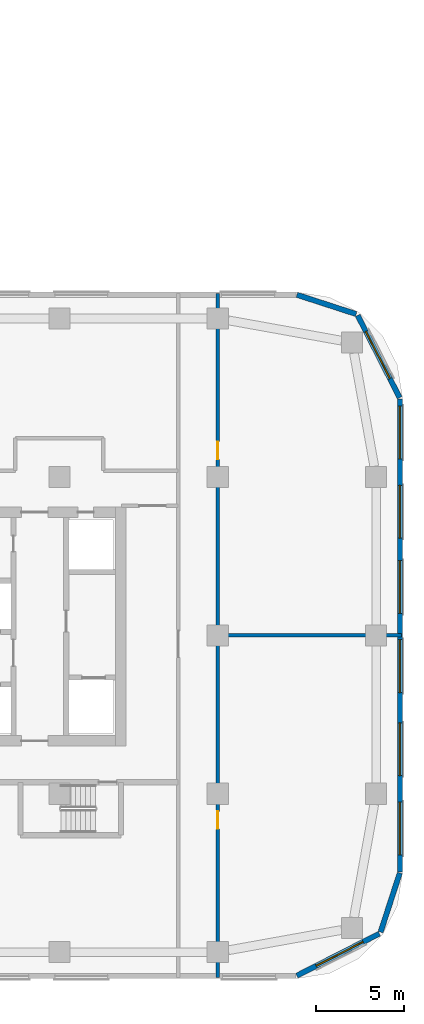
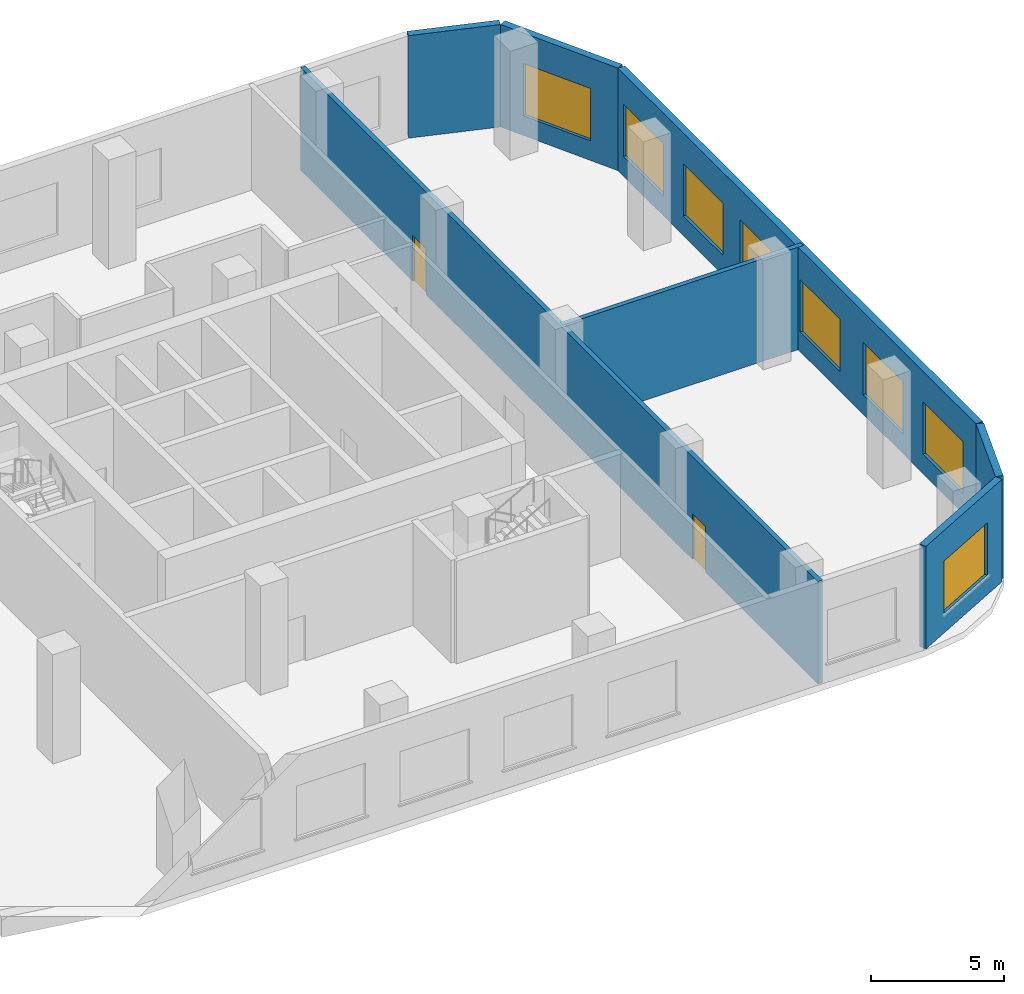
# One storey, part 16 of 35: 8 windows, 7 walls, 2 doors, 10 openings.
"""IFC4 building model written with IfcOpenShell, lengths in metres."""

from ifc_helpers import new_model, si_unit, direction, frame, frame_2d, origin, place, context, subcontext, project, spatial, rectangle, extrude, material, layer, layer_set, type_object, element, fill, save


model = new_model("IFC4")

# Units and contexts
model_context = context("Model", 3, precision=1e-05, world=origin(), true_north=direction((0.0, 1.0)))
body_context = subcontext(model_context, "Body", "Model", "MODEL_VIEW")
ifc_project = project(units=[si_unit("LENGTHUNIT", "METRE"), si_unit("AREAUNIT", "SQUARE_METRE"), si_unit("VOLUMEUNIT", "CUBIC_METRE"), si_unit("PLANEANGLEUNIT", "RADIAN"), si_unit("MASSUNIT", "GRAM", prefix="KILO")], contexts=[model_context])

# Site, building, storey
site_placement = place(None, origin())
site = spatial("IfcSite", under=ifc_project, at=site_placement, CompositionType="ELEMENT")
building_placement = place(site_placement, origin())
building = spatial("IfcBuilding", under=site, at=building_placement, Name="Ogive Portal Towers", CompositionType="ELEMENT")
storey_placement = place(building_placement, frame((0.0, 0.0, 23.5)))
storey = spatial("IfcBuildingStorey", under=building, at=storey_placement, Name="L04", CompositionType="ELEMENT", Elevation=23.5)

# Wall, opening, window
ifc_material_1 = material(Name="Limestone cladding on lightweight block wall", Category="masonry")
ifc_layer_1 = layer(ifc_material_1, 0.300048828125)
ifc_layer_set_1 = layer_set([ifc_layer_1], Name="EXTERNAL WALL 300 STONE")
wall_type_1 = type_object("IfcWallType", Name="EXTERNAL WALL 300 STONE", PredefinedType="SOLIDWALL", material=ifc_layer_set_1)
wall_1_placement = place(storey_placement, frame((153.99609375, 11.166259765625, 0.0), z_axis=(0.0, 0.0, 1.0), x_axis=(0.890998339455, 0.454006562826, 0.0)))
wall_1 = element("IfcWall", 1, at=wall_1_placement, inside=storey, type_object=wall_type_1, Name="B:L04:f03:w0", PredefinedType="SOLIDWALL", context=body_context, shape_type="SweptSolid", body=[
    extrude(rectangle(XDim=5.251708984375, YDim=0.300048828125, at=frame_2d((2.6259765625, 0.0))), origin(), (0.0, 0.0, 1.0), 4.699951171875),
])
opening_1_placement = place(wall_1_placement, frame((1.223876953125, 0.0, 0.89990234375)))
opening_1 = element("IfcOpeningElement", 2, at=opening_1_placement, cuts=wall_1, Name="Opening WN3", PredefinedType="OPENING", context=body_context, shape_type="SweptSolid", body=[
    extrude(rectangle(XDim=3.0, YDim=2.39990234375, at=frame_2d((1.5, 1.199951171875))), frame((0.0, 0.16015625, 0.0), z_axis=(0.0, -1.0, 0.0), x_axis=(1.0, 0.0, 0.0)), (0.0, 0.0, 1.0), 0.320068359375),
])
ifc_material_2 = material(Name="Glass, clear low-iron insulated glazing", Category="glass")
window_type = type_object("IfcWindowType", Name="WINDOW PODIUM 3000x2400", PartitioningType="SINGLE_PANEL", PredefinedType="WINDOW", material=ifc_material_2)
window_1_placement = place(opening_1_placement, origin())
window_1 = element("IfcWindow", 3, at=window_1_placement, inside=storey, type_object=window_type, Name="B:L04:f03:w0:o0", OverallHeight=2.39990234375, OverallWidth=3.0, PartitioningType="SINGLE_PANEL", PredefinedType="WINDOW", context=body_context, shape_type="SweptSolid", body=[
    extrude(rectangle(XDim=3.0, YDim=2.39990234375, at=frame_2d((1.5, 1.199951171875))), frame((0.0, 0.030029296875, 0.0), z_axis=(0.0, -1.0, 0.0), x_axis=(1.0, 0.0, 0.0)), (0.0, 0.0, 1.0), 0.06005859375),
])
fill(opening_1, window_1)

# Wall
wall_2_placement = place(storey_placement, frame((158.749755859375, 13.637939453125, 0.0), z_axis=(0.0, 0.0, 1.0), x_axis=(0.309073584194, 0.951038127287, 0.0)))
element("IfcWall", 4, at=wall_2_placement, inside=storey, type_object=wall_type_1, Name="B:L04:f04:w0", PredefinedType="SOLIDWALL", context=body_context, shape_type="SweptSolid", body=[
    extrude(rectangle(XDim=3.536376953125, YDim=0.300048828125, at=frame_2d((1.76806640625, 0.0))), origin(), (0.0, 0.0, 1.0), 4.699951171875),
])

# Wall, openings, windows
wall_3_placement = place(storey_placement, frame((159.85009765625, 17.047607421875, 0.0), z_axis=(0.0, 0.0, 1.0), x_axis=(0.0, 1.0, 0.0)))
wall_3 = element("IfcWall", 5, at=wall_3_placement, inside=storey, type_object=wall_type_1, Name="B:L04:f05:w0", PredefinedType="SOLIDWALL", context=body_context, shape_type="SweptSolid", body=[
    extrude(rectangle(XDim=26.88037109375, YDim=0.300048828125, at=frame_2d((13.440185546875, 0.0))), origin(), (0.0, 0.0, 1.0), 4.699951171875),
])
opening_2_placement = place(wall_3_placement, frame((0.976318359375, 0.0, 0.89990234375)))
opening_2 = element("IfcOpeningElement", 6, at=opening_2_placement, cuts=wall_3, Name="Opening WN3", PredefinedType="OPENING", context=body_context, shape_type="SweptSolid", body=[
    extrude(rectangle(XDim=3.0, YDim=2.39990234375, at=frame_2d((1.5, 1.199951171875))), frame((0.0, 0.16015625, 0.0), z_axis=(0.0, -1.0, 0.0), x_axis=(1.0, 0.0, 0.0)), (0.0, 0.0, 1.0), 0.320068359375),
])
opening_3_placement = place(wall_3_placement, frame((5.476318359375, 0.0, 0.89990234375)))
opening_3 = element("IfcOpeningElement", 7, at=opening_3_placement, cuts=wall_3, Name="Opening WN3", PredefinedType="OPENING", context=body_context, shape_type="SweptSolid", body=[
    extrude(rectangle(XDim=3.0, YDim=2.39990234375, at=frame_2d((1.5, 1.199951171875))), frame((0.0, 0.16015625, 0.0), z_axis=(0.0, -1.0, 0.0), x_axis=(1.0, 0.0, 0.0)), (0.0, 0.0, 1.0), 0.320068359375),
])
opening_4_placement = place(wall_3_placement, frame((10.202392578125, 0.0, 0.89990234375)))
opening_4 = element("IfcOpeningElement", 8, at=opening_4_placement, cuts=wall_3, Name="Opening WN3", PredefinedType="OPENING", context=body_context, shape_type="SweptSolid", body=[
    extrude(rectangle(XDim=3.0, YDim=2.39990234375, at=frame_2d((1.5, 1.199951171875))), frame((0.0, 0.16015625, 0.0), z_axis=(0.0, -1.0, 0.0), x_axis=(1.0, 0.0, 0.0)), (0.0, 0.0, 1.0), 0.320068359375),
])
opening_5_placement = place(wall_3_placement, frame((14.702392578125, 0.0, 0.89990234375)))
opening_5 = element("IfcOpeningElement", 9, at=opening_5_placement, cuts=wall_3, Name="Opening WN3", PredefinedType="OPENING", context=body_context, shape_type="SweptSolid", body=[
    extrude(rectangle(XDim=3.0, YDim=2.39990234375, at=frame_2d((1.5, 1.199951171875))), frame((0.0, 0.16015625, 0.0), z_axis=(0.0, -1.0, 0.0), x_axis=(1.0, 0.0, 0.0)), (0.0, 0.0, 1.0), 0.320068359375),
])
opening_6_placement = place(wall_3_placement, frame((18.976318359375, 0.0, 0.89990234375)))
opening_6 = element("IfcOpeningElement", 10, at=opening_6_placement, cuts=wall_3, Name="Opening WN3", PredefinedType="OPENING", context=body_context, shape_type="SweptSolid", body=[
    extrude(rectangle(XDim=3.0, YDim=2.39990234375, at=frame_2d((1.5, 1.199951171875))), frame((0.0, 0.16015625, 0.0), z_axis=(0.0, -1.0, 0.0), x_axis=(1.0, 0.0, 0.0)), (0.0, 0.0, 1.0), 0.320068359375),
])
opening_7_placement = place(wall_3_placement, frame((23.476318359375, 0.0, 0.89990234375)))
opening_7 = element("IfcOpeningElement", 11, at=opening_7_placement, cuts=wall_3, Name="Opening WN3", PredefinedType="OPENING", context=body_context, shape_type="SweptSolid", body=[
    extrude(rectangle(XDim=3.0, YDim=2.39990234375, at=frame_2d((1.5, 1.199951171875))), frame((0.0, 0.16015625, 0.0), z_axis=(0.0, -1.0, 0.0), x_axis=(1.0, 0.0, 0.0)), (0.0, 0.0, 1.0), 0.320068359375),
])
window_2_placement = place(opening_2_placement, origin())
window_2 = element("IfcWindow", 12, at=window_2_placement, inside=storey, type_object=window_type, Name="B:L04:f05:w0:o0a", OverallHeight=2.39990234375, OverallWidth=3.0, PartitioningType="SINGLE_PANEL", PredefinedType="WINDOW", context=body_context, shape_type="SweptSolid", body=[
    extrude(rectangle(XDim=3.0, YDim=2.39990234375, at=frame_2d((1.5, 1.199951171875))), frame((0.0, 0.030029296875, 0.0), z_axis=(0.0, -1.0, 0.0), x_axis=(1.0, 0.0, 0.0)), (0.0, 0.0, 1.0), 0.06005859375),
])
fill(opening_2, window_2)
window_3_placement = place(opening_3_placement, origin())
window_3 = element("IfcWindow", 13, at=window_3_placement, inside=storey, type_object=window_type, Name="B:L04:f05:w0:o0b", OverallHeight=2.39990234375, OverallWidth=3.0, PartitioningType="SINGLE_PANEL", PredefinedType="WINDOW", context=body_context, shape_type="SweptSolid", body=[
    extrude(rectangle(XDim=3.0, YDim=2.39990234375, at=frame_2d((1.5, 1.199951171875))), frame((0.0, 0.030029296875, 0.0), z_axis=(0.0, -1.0, 0.0), x_axis=(1.0, 0.0, 0.0)), (0.0, 0.0, 1.0), 0.06005859375),
])
fill(opening_3, window_3)
window_4_placement = place(opening_4_placement, origin())
window_4 = element("IfcWindow", 14, at=window_4_placement, inside=storey, type_object=window_type, Name="B:L04:f05:w0:o1a", OverallHeight=2.39990234375, OverallWidth=3.0, PartitioningType="SINGLE_PANEL", PredefinedType="WINDOW", context=body_context, shape_type="SweptSolid", body=[
    extrude(rectangle(XDim=3.0, YDim=2.39990234375, at=frame_2d((1.5, 1.199951171875))), frame((0.0, 0.030029296875, 0.0), z_axis=(0.0, -1.0, 0.0), x_axis=(1.0, 0.0, 0.0)), (0.0, 0.0, 1.0), 0.06005859375),
])
fill(opening_4, window_4)
window_5_placement = place(opening_5_placement, origin())
window_5 = element("IfcWindow", 15, at=window_5_placement, inside=storey, type_object=window_type, Name="B:L04:f05:w0:o1b", OverallHeight=2.39990234375, OverallWidth=3.0, PartitioningType="SINGLE_PANEL", PredefinedType="WINDOW", context=body_context, shape_type="SweptSolid", body=[
    extrude(rectangle(XDim=3.0, YDim=2.39990234375, at=frame_2d((1.5, 1.199951171875))), frame((0.0, 0.030029296875, 0.0), z_axis=(0.0, -1.0, 0.0), x_axis=(1.0, 0.0, 0.0)), (0.0, 0.0, 1.0), 0.06005859375),
])
fill(opening_5, window_5)
window_6_placement = place(opening_6_placement, origin())
window_6 = element("IfcWindow", 16, at=window_6_placement, inside=storey, type_object=window_type, Name="B:L04:f05:w0:o2a", OverallHeight=2.39990234375, OverallWidth=3.0, PartitioningType="SINGLE_PANEL", PredefinedType="WINDOW", context=body_context, shape_type="SweptSolid", body=[
    extrude(rectangle(XDim=3.0, YDim=2.39990234375, at=frame_2d((1.5, 1.199951171875))), frame((0.0, 0.030029296875, 0.0), z_axis=(0.0, -1.0, 0.0), x_axis=(1.0, 0.0, 0.0)), (0.0, 0.0, 1.0), 0.06005859375),
])
fill(opening_6, window_6)
window_7_placement = place(opening_7_placement, origin())
window_7 = element("IfcWindow", 17, at=window_7_placement, inside=storey, type_object=window_type, Name="B:L04:f05:w0:o2b", OverallHeight=2.39990234375, OverallWidth=3.0, PartitioningType="SINGLE_PANEL", PredefinedType="WINDOW", context=body_context, shape_type="SweptSolid", body=[
    extrude(rectangle(XDim=3.0, YDim=2.39990234375, at=frame_2d((1.5, 1.199951171875))), frame((0.0, 0.030029296875, 0.0), z_axis=(0.0, -1.0, 0.0), x_axis=(1.0, 0.0, 0.0)), (0.0, 0.0, 1.0), 0.06005859375),
])
fill(opening_7, window_7)

# Wall, opening, window
wall_4_placement = place(storey_placement, frame((159.833740234375, 43.99609375, 0.0), z_axis=(0.0, 0.0, 1.0), x_axis=(-0.454006562826, 0.890998339455, 0.0)))
wall_4 = element("IfcWall", 18, at=wall_4_placement, inside=storey, type_object=wall_type_1, Name="B:L04:f06:w0", PredefinedType="SOLIDWALL", context=body_context, shape_type="SweptSolid", body=[
    extrude(rectangle(XDim=5.251708984375, YDim=0.300048828125, at=frame_2d((2.6259765625, 0.0))), origin(), (0.0, 0.0, 1.0), 4.699951171875),
])
opening_8_placement = place(wall_4_placement, frame((1.223876953125, 0.0, 0.89990234375)))
opening_8 = element("IfcOpeningElement", 19, at=opening_8_placement, cuts=wall_4, Name="Opening WN3", PredefinedType="OPENING", context=body_context, shape_type="SweptSolid", body=[
    extrude(rectangle(XDim=3.0, YDim=2.39990234375, at=frame_2d((1.5, 1.199951171875))), frame((0.0, 0.16015625, 0.0), z_axis=(0.0, -1.0, 0.0), x_axis=(1.0, 0.0, 0.0)), (0.0, 0.0, 1.0), 0.320068359375),
])
window_8_placement = place(opening_8_placement, origin())
window_8 = element("IfcWindow", 20, at=window_8_placement, inside=storey, type_object=window_type, Name="B:L04:f06:w0:o0", OverallHeight=2.39990234375, OverallWidth=3.0, PartitioningType="SINGLE_PANEL", PredefinedType="WINDOW", context=body_context, shape_type="SweptSolid", body=[
    extrude(rectangle(XDim=3.0, YDim=2.39990234375, at=frame_2d((1.5, 1.199951171875))), frame((0.0, 0.030029296875, 0.0), z_axis=(0.0, -1.0, 0.0), x_axis=(1.0, 0.0, 0.0)), (0.0, 0.0, 1.0), 0.06005859375),
])
fill(opening_8, window_8)

# Walls
wall_5_placement = place(storey_placement, frame((157.362060546875, 48.749755859375, 0.0), z_axis=(0.0, 0.0, 1.0), x_axis=(-0.951038127287, 0.309073584194, 0.0)))
element("IfcWall", 21, at=wall_5_placement, inside=storey, type_object=wall_type_1, Name="B:L04:f07:w0", PredefinedType="SOLIDWALL", context=body_context, shape_type="SweptSolid", body=[
    extrude(rectangle(XDim=3.536376953125, YDim=0.300048828125, at=frame_2d((1.76806640625, 0.0))), origin(), (0.0, 0.0, 1.0), 4.699951171875),
])
ifc_material_3 = material(Name="Gypsum board partition on steel studs", Category="steel")
ifc_layer_2 = layer(ifc_material_3, 0.199951171875)
ifc_layer_set_2 = layer_set([ifc_layer_2], Name="WT-PART-200-EI 60")
wall_type_2 = type_object("IfcWallType", Name="WT-PART-200-EI 60", PredefinedType="PARTITIONING", material=ifc_layer_set_2)
wall_6_placement = place(storey_placement, frame((149.5, 30.5, 0.0), z_axis=(0.0, 0.0, 1.0), x_axis=(1.0, 0.0, 0.0)))
element("IfcWall", 22, at=wall_6_placement, inside=storey, type_object=wall_type_2, Name="Wall L04:w014", PredefinedType="PARTITIONING", context=body_context, shape_type="SweptSolid", body=[
    extrude(rectangle(XDim=10.429931640625, YDim=0.199951171875, at=frame_2d((5.21484375, 0.0))), origin(), (0.0, 0.0, 1.0), 4.699951171875),
])

# Wall, openings, doors
wall_7_placement = place(storey_placement, frame((149.5, 11.070068359375, 0.0), z_axis=(0.0, 0.0, 1.0), x_axis=(0.0, 1.0, 0.0)))
wall_7 = element("IfcWall", 23, at=wall_7_placement, inside=storey, type_object=wall_type_2, Name="Wall L04:w078", PredefinedType="PARTITIONING", context=body_context, shape_type="SweptSolid", body=[
    extrude(rectangle(XDim=38.85986328125, YDim=0.199951171875, at=frame_2d((19.429931640625, 0.0))), origin(), (0.0, 0.0, 1.0), 4.699951171875),
])
opening_9_placement = place(wall_7_placement, frame((8.429931640625, 0.0, 0.0)))
opening_9 = element("IfcOpeningElement", 24, at=opening_9_placement, cuts=wall_7, Name="Opening P04-043", PredefinedType="OPENING", context=body_context, shape_type="SweptSolid", body=[
    extrude(rectangle(XDim=1.0, YDim=2.10009765625, at=frame_2d((0.5, 1.050048828125))), frame((0.0, 0.10986328125, 0.0), z_axis=(0.0, -1.0, 0.0), x_axis=(1.0, 0.0, 0.0)), (0.0, 0.0, 1.0), 0.219970703125),
])
opening_10_placement = place(wall_7_placement, frame((29.429931640625, 0.0, 0.0)))
opening_10 = element("IfcOpeningElement", 25, at=opening_10_placement, cuts=wall_7, Name="Opening P04-044", PredefinedType="OPENING", context=body_context, shape_type="SweptSolid", body=[
    extrude(rectangle(XDim=1.0, YDim=2.10009765625, at=frame_2d((0.5, 1.050048828125))), frame((0.0, 0.10986328125, 0.0), z_axis=(0.0, -1.0, 0.0), x_axis=(1.0, 0.0, 0.0)), (0.0, 0.0, 1.0), 0.219970703125),
])
ifc_material_4 = material(Name="Steel fire door", Category="steel")
door_type = type_object("IfcDoorType", Name="DT-SWING-1000x2100-FD60S", OperationType="SINGLE_SWING_LEFT", PredefinedType="DOOR", material=ifc_material_4)
door_1_placement = place(opening_9_placement, origin())
door_1 = element("IfcDoor", 26, at=door_1_placement, inside=storey, type_object=door_type, Name="Door P04-043", OperationType="SINGLE_SWING_LEFT", OverallHeight=2.10009765625, OverallWidth=1.0, PredefinedType="DOOR", context=body_context, shape_type="SweptSolid", body=[
    extrude(rectangle(XDim=1.0, YDim=2.10009765625, at=frame_2d((0.5, 1.050048828125))), frame((0.0, 0.02490234375, 0.0), z_axis=(0.0, -1.0, 0.0), x_axis=(1.0, 0.0, 0.0)), (0.0, 0.0, 1.0), 0.050048828125),
])
fill(opening_9, door_1)
door_2_placement = place(opening_10_placement, origin())
door_2 = element("IfcDoor", 27, at=door_2_placement, inside=storey, type_object=door_type, Name="Door P04-044", OperationType="SINGLE_SWING_RIGHT", OverallHeight=2.10009765625, OverallWidth=1.0, PredefinedType="DOOR", context=body_context, shape_type="SweptSolid", body=[
    extrude(rectangle(XDim=1.0, YDim=2.10009765625, at=frame_2d((0.5, 1.050048828125))), frame((0.0, 0.02490234375, 0.0), z_axis=(0.0, -1.0, 0.0), x_axis=(1.0, 0.0, 0.0)), (0.0, 0.0, 1.0), 0.050048828125),
])
fill(opening_10, door_2)

save(model, "model.ifc")
